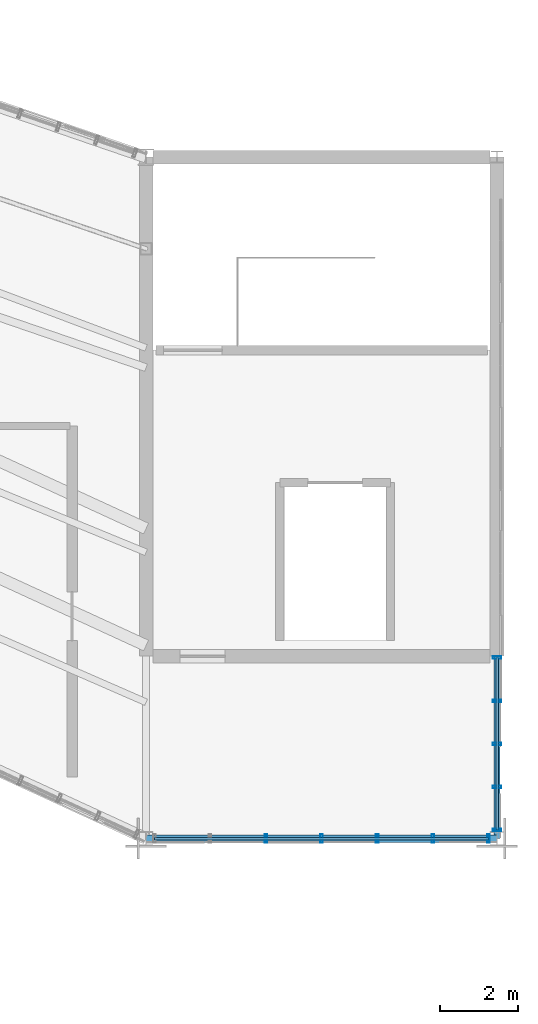
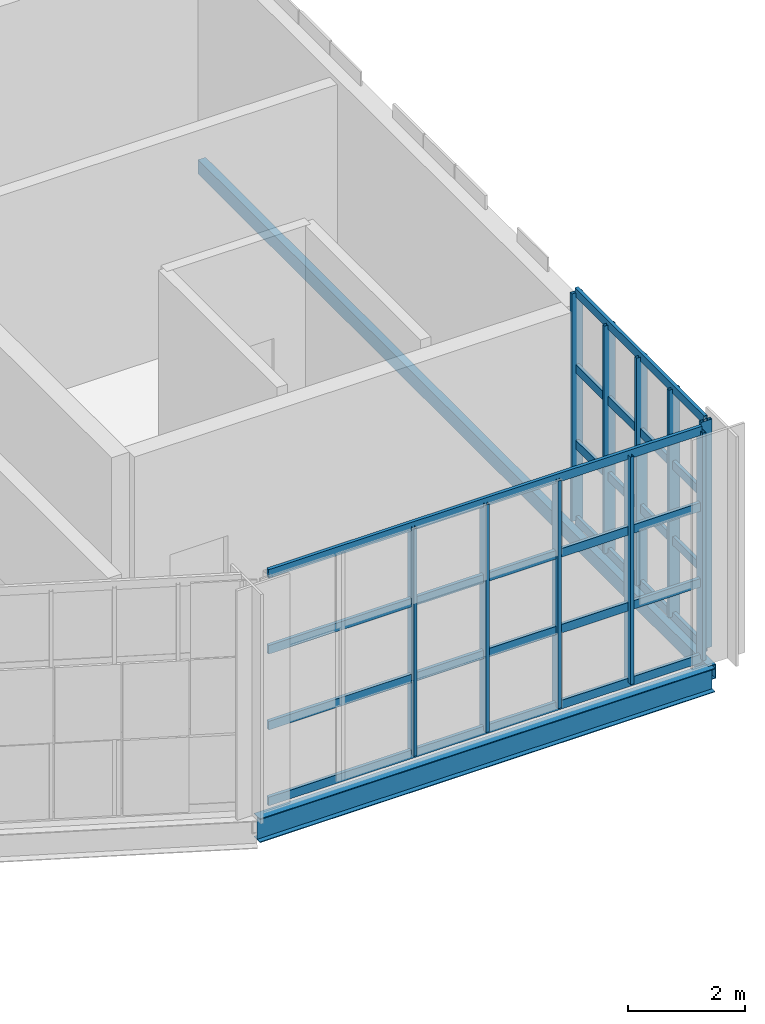
# One storey, part 19 of 35: 18 members, 2 beams, 2 elements without a shape of their own.
"""IFC4 building model written with IfcOpenShell, lengths in metres."""

from ifc_helpers import new_model, si_unit, direction, frame, origin, origin_2d, place, context, subcontext, project, spatial, hollow_rectangle, i_section, extrude, material, material_profile, profile_set, type_object, element, aggregate, save


model = new_model("IFC4")

# Units and contexts
model_context = context("Model", 3, precision=1e-05, world=origin(), true_north=direction((0.0, 1.0)))
body_context = subcontext(model_context, "Body", "Model", "MODEL_VIEW")
ifc_project = project(units=[si_unit("LENGTHUNIT", "METRE"), si_unit("AREAUNIT", "SQUARE_METRE"), si_unit("VOLUMEUNIT", "CUBIC_METRE"), si_unit("PLANEANGLEUNIT", "RADIAN"), si_unit("MASSUNIT", "GRAM", prefix="KILO")], contexts=[model_context])

# Site, building, storey
site_placement = place(None, origin())
site = spatial("IfcSite", under=ifc_project, at=site_placement, CompositionType="ELEMENT")
building_placement = place(site_placement, origin())
building = spatial("IfcBuilding", under=site, at=building_placement, Name="Solvikara Media Centre", CompositionType="ELEMENT")
storey_placement = place(building_placement, frame((0.0, 0.0, 29.39990234375)))
storey = spatial("IfcBuildingStorey", under=building, at=storey_placement, Name="L06", CompositionType="ELEMENT", Elevation=29.39990234375)

# Beams
ifc_material_1 = material(Name="Steel S355JR", Category="steel")
ifc_material_profile_1 = material_profile(ifc_material_1, i_section(OverallWidth=0.199951171875, OverallDepth=0.5, WebThickness=0.010009765625, FlangeThickness=0.01611328125, at=origin_2d()), Name="WF 500x200x10x16")
ifc_profile_set_1 = profile_set([ifc_material_profile_1], Name="Steel S355JR")
beam_type_1 = type_object("IfcBeamType", Name="BM-19", PredefinedType="BEAM", material=ifc_profile_set_1)
beam_1_placement = place(storey_placement, frame((127.5, 19.320068359375, -0.471923828125), z_axis=(1.0, 0.0, 0.0), x_axis=(0.0, 1.0, 0.0)))
element("IfcBeam", 1, at=beam_1_placement, inside=storey, type_object=beam_type_1, Name="B-L06-X1697", PredefinedType="BEAM", context=body_context, shape_type="SweptSolid", body=[
    extrude(i_section(OverallWidth=0.199951171875, OverallDepth=0.5, WebThickness=0.010009765625, FlangeThickness=0.01611328125, at=origin_2d()), origin(), (0.0, 0.0, 1.0), 9.0),
])
ifc_material_profile_2 = material_profile(ifc_material_1, hollow_rectangle(XDim=0.14990234375, YDim=0.300048828125, WallThickness=0.010009765625, at=origin_2d()), Name="RHS 300x150x10")
ifc_profile_set_2 = profile_set([ifc_material_profile_2], Name="Steel S355JR")
beam_type_2 = type_object("IfcBeamType", Name="BM-35", PredefinedType="BEAM", material=ifc_profile_set_2)
beam_2_placement = place(storey_placement, frame((136.5, 19.323974609375, -0.371826171875), z_axis=(0.0, 1.0, 0.0), x_axis=(-1.0, 0.0, 0.0)))
element("IfcBeam", 2, at=beam_2_placement, inside=storey, type_object=beam_type_2, Name="B-L06-Y1721", PredefinedType="BEAM", context=body_context, shape_type="SweptSolid", body=[
    extrude(hollow_rectangle(XDim=0.14990234375, YDim=0.300048828125, WallThickness=0.010009765625, at=origin_2d()), origin(), (0.0, 0.0, 1.0), 17.47607421875),
])

# Curtain wall, members
ifc_material_2 = material(Name="Anodised aluminium EN AW-6063", Category="aluminium")
curtain_wall_type = type_object("IfcCurtainWallType", Name="CW-13", PredefinedType="NOTDEFINED", material=ifc_material_2)
curtain_wall_1_placement = place(storey_placement, origin())
curtain_wall_1 = element("IfcCurtainWall", 3, at=curtain_wall_1_placement, inside=storey, type_object=curtain_wall_type, Name="CW-L06-BHES", PredefinedType="NOTDEFINED")
ifc_material_profile_3 = material_profile(ifc_material_2, hollow_rectangle(XDim=0.06494140625, YDim=0.219970703125, WallThickness=0.00390625, at=origin_2d()), Name="ALU-M 65x220x4")
ifc_profile_set_3 = profile_set([ifc_material_profile_3], Name="Anodised aluminium EN AW-6063")
member_type_1 = type_object("IfcMemberType", Name="MF-01", PredefinedType="MULLION", material=ifc_profile_set_3)
member_1_placement = place(storey_placement, frame((130.572021484375, 19.323974609375, 0.02001953125), z_axis=(0.0, 0.0, 1.0), x_axis=(1.0, 0.0, 0.0)))
member_1 = element("IfcMember", 4, at=member_1_placement, type_object=member_type_1, Name="CW-L06-BHES-M02", PredefinedType="MULLION", context=body_context, shape_type="SweptSolid", body=[
    extrude(hollow_rectangle(XDim=0.06494140625, YDim=0.219970703125, WallThickness=0.00390625, at=origin_2d()), origin(), (0.0, 0.0, 1.0), 4.760009765625),
])
member_2_placement = place(storey_placement, frame((132.0, 19.323974609375, 0.02001953125), z_axis=(0.0, 0.0, 1.0), x_axis=(1.0, 0.0, 0.0)))
member_2 = element("IfcMember", 5, at=member_2_placement, type_object=member_type_1, Name="CW-L06-BHES-M03", PredefinedType="MULLION", context=body_context, shape_type="SweptSolid", body=[
    extrude(hollow_rectangle(XDim=0.06494140625, YDim=0.219970703125, WallThickness=0.00390625, at=origin_2d()), origin(), (0.0, 0.0, 1.0), 4.760009765625),
])
member_3_placement = place(storey_placement, frame((133.427978515625, 19.323974609375, 0.02001953125), z_axis=(0.0, 0.0, 1.0), x_axis=(1.0, 0.0, 0.0)))
member_3 = element("IfcMember", 6, at=member_3_placement, type_object=member_type_1, Name="CW-L06-BHES-M04", PredefinedType="MULLION", context=body_context, shape_type="SweptSolid", body=[
    extrude(hollow_rectangle(XDim=0.06494140625, YDim=0.219970703125, WallThickness=0.00390625, at=origin_2d()), origin(), (0.0, 0.0, 1.0), 4.760009765625),
])
member_4_placement = place(storey_placement, frame((134.85693359375, 19.323974609375, 0.02001953125), z_axis=(0.0, 0.0, 1.0), x_axis=(1.0, 0.0, 0.0)))
member_4 = element("IfcMember", 7, at=member_4_placement, type_object=member_type_1, Name="CW-L06-BHES-M05", PredefinedType="MULLION", context=body_context, shape_type="SweptSolid", body=[
    extrude(hollow_rectangle(XDim=0.06494140625, YDim=0.219970703125, WallThickness=0.00390625, at=origin_2d()), origin(), (0.0, 0.0, 1.0), 4.760009765625),
])
member_5_placement = place(storey_placement, frame((136.284912109375, 19.323974609375, 0.02001953125), z_axis=(0.0, 0.0, 1.0), x_axis=(1.0, 0.0, 0.0)))
member_5 = element("IfcMember", 8, at=member_5_placement, type_object=member_type_1, Name="CW-L06-BHES-M06", PredefinedType="MULLION", context=body_context, shape_type="SweptSolid", body=[
    extrude(hollow_rectangle(XDim=0.06494140625, YDim=0.219970703125, WallThickness=0.00390625, at=origin_2d()), origin(), (0.0, 0.0, 1.0), 4.760009765625),
])

curtain_wall_2_placement = place(storey_placement, origin())
curtain_wall_2 = element("IfcCurtainWall", 9, at=curtain_wall_2_placement, inside=storey, type_object=curtain_wall_type, Name="CW-L06-BHEE", PredefinedType="NOTDEFINED")
member_6_placement = place(storey_placement, frame((136.5, 19.5390625, 0.02001953125), z_axis=(0.0, 0.0, 1.0), x_axis=(0.0, 1.0, 0.0)))
member_6 = element("IfcMember", 10, at=member_6_placement, type_object=member_type_1, Name="CW-L06-BHEE-M00", PredefinedType="MULLION", context=body_context, shape_type="SweptSolid", body=[
    extrude(hollow_rectangle(XDim=0.06494140625, YDim=0.219970703125, WallThickness=0.00390625, at=origin_2d()), origin(), (0.0, 0.0, 1.0), 4.760009765625),
])
member_7_placement = place(storey_placement, frame((136.5, 20.64501953125, 0.02001953125), z_axis=(0.0, 0.0, 1.0), x_axis=(0.0, 1.0, 0.0)))
member_7 = element("IfcMember", 11, at=member_7_placement, type_object=member_type_1, Name="CW-L06-BHEE-M01", PredefinedType="MULLION", context=body_context, shape_type="SweptSolid", body=[
    extrude(hollow_rectangle(XDim=0.06494140625, YDim=0.219970703125, WallThickness=0.00390625, at=origin_2d()), origin(), (0.0, 0.0, 1.0), 4.760009765625),
])
member_8_placement = place(storey_placement, frame((136.5, 21.751953125, 0.02001953125), z_axis=(0.0, 0.0, 1.0), x_axis=(0.0, 1.0, 0.0)))
member_8 = element("IfcMember", 12, at=member_8_placement, type_object=member_type_1, Name="CW-L06-BHEE-M02", PredefinedType="MULLION", context=body_context, shape_type="SweptSolid", body=[
    extrude(hollow_rectangle(XDim=0.06494140625, YDim=0.219970703125, WallThickness=0.00390625, at=origin_2d()), origin(), (0.0, 0.0, 1.0), 4.760009765625),
])
member_9_placement = place(storey_placement, frame((136.5, 22.85791015625, 0.02001953125), z_axis=(0.0, 0.0, 1.0), x_axis=(0.0, 1.0, 0.0)))
member_9 = element("IfcMember", 13, at=member_9_placement, type_object=member_type_1, Name="CW-L06-BHEE-M03", PredefinedType="MULLION", context=body_context, shape_type="SweptSolid", body=[
    extrude(hollow_rectangle(XDim=0.06494140625, YDim=0.219970703125, WallThickness=0.00390625, at=origin_2d()), origin(), (0.0, 0.0, 1.0), 4.760009765625),
])
member_10_placement = place(storey_placement, frame((136.5, 23.965087890625, 0.02001953125), z_axis=(0.0, 0.0, 1.0), x_axis=(0.0, 1.0, 0.0)))
member_10 = element("IfcMember", 14, at=member_10_placement, type_object=member_type_1, Name="CW-L06-BHEE-M04", PredefinedType="MULLION", context=body_context, shape_type="SweptSolid", body=[
    extrude(hollow_rectangle(XDim=0.06494140625, YDim=0.219970703125, WallThickness=0.00390625, at=origin_2d()), origin(), (0.0, 0.0, 1.0), 4.760009765625),
])

# Member
ifc_material_profile_4 = material_profile(ifc_material_2, hollow_rectangle(XDim=0.06494140625, YDim=0.179931640625, WallThickness=0.00341796875, at=origin_2d()), Name="ALU-T 65x180x3.5")
ifc_profile_set_4 = profile_set([ifc_material_profile_4], Name="Anodised aluminium EN AW-6063")
member_type_2 = type_object("IfcMemberType", Name="MF-07", PredefinedType="USERDEFINED", material=ifc_profile_set_4)
member_11_placement = place(storey_placement, frame((127.715087890625, 19.323974609375, 0.02001953125), z_axis=(1.0, 0.0, 0.0), x_axis=(0.0, 1.0, 0.0)))
member_11 = element("IfcMember", 15, at=member_11_placement, type_object=member_type_2, Name="CW-L06-BHES-T00", ObjectType="TRANSOM", PredefinedType="USERDEFINED", context=body_context, shape_type="SweptSolid", body=[
    extrude(hollow_rectangle(XDim=0.06494140625, YDim=0.179931640625, WallThickness=0.00341796875, at=origin_2d()), origin(), (0.0, 0.0, 1.0), 8.56982421875),
])

member_12_placement = place(storey_placement, frame((127.715087890625, 19.323974609375, 1.607177734375), z_axis=(1.0, 0.0, 0.0), x_axis=(0.0, 1.0, 0.0)))
member_12 = element("IfcMember", 16, at=member_12_placement, type_object=member_type_2, Name="CW-L06-BHES-T01", ObjectType="TRANSOM", PredefinedType="USERDEFINED", context=body_context, shape_type="SweptSolid", body=[
    extrude(hollow_rectangle(XDim=0.06494140625, YDim=0.179931640625, WallThickness=0.00341796875, at=origin_2d()), origin(), (0.0, 0.0, 1.0), 8.56982421875),
])

member_13_placement = place(storey_placement, frame((127.715087890625, 19.323974609375, 3.193115234375), z_axis=(1.0, 0.0, 0.0), x_axis=(0.0, 1.0, 0.0)))
member_13 = element("IfcMember", 17, at=member_13_placement, type_object=member_type_2, Name="CW-L06-BHES-T02", ObjectType="TRANSOM", PredefinedType="USERDEFINED", context=body_context, shape_type="SweptSolid", body=[
    extrude(hollow_rectangle(XDim=0.06494140625, YDim=0.179931640625, WallThickness=0.00341796875, at=origin_2d()), origin(), (0.0, 0.0, 1.0), 8.56982421875),
])

member_14_placement = place(storey_placement, frame((127.715087890625, 19.323974609375, 4.780029296875), z_axis=(1.0, 0.0, 0.0), x_axis=(0.0, 1.0, 0.0)))
member_14 = element("IfcMember", 18, at=member_14_placement, type_object=member_type_2, Name="CW-L06-BHES-T03", ObjectType="TRANSOM", PredefinedType="USERDEFINED", context=body_context, shape_type="SweptSolid", body=[
    extrude(hollow_rectangle(XDim=0.06494140625, YDim=0.179931640625, WallThickness=0.00341796875, at=origin_2d()), origin(), (0.0, 0.0, 1.0), 8.56982421875),
])

aggregate(curtain_wall_1, [member_1, member_2, member_3, member_4, member_5, member_11, member_12, member_13, member_14])

member_15_placement = place(storey_placement, frame((136.5, 19.5390625, 0.02001953125), z_axis=(0.0, 1.0, 0.0), x_axis=(-1.0, 0.0, 0.0)))
member_15 = element("IfcMember", 19, at=member_15_placement, type_object=member_type_2, Name="CW-L06-BHEE-T00", ObjectType="TRANSOM", PredefinedType="USERDEFINED", context=body_context, shape_type="SweptSolid", body=[
    extrude(hollow_rectangle(XDim=0.06494140625, YDim=0.179931640625, WallThickness=0.00341796875, at=origin_2d()), origin(), (0.0, 0.0, 1.0), 4.426025390625),
])

member_16_placement = place(storey_placement, frame((136.5, 19.5390625, 1.607177734375), z_axis=(0.0, 1.0, 0.0), x_axis=(-1.0, 0.0, 0.0)))
member_16 = element("IfcMember", 20, at=member_16_placement, type_object=member_type_2, Name="CW-L06-BHEE-T01", ObjectType="TRANSOM", PredefinedType="USERDEFINED", context=body_context, shape_type="SweptSolid", body=[
    extrude(hollow_rectangle(XDim=0.06494140625, YDim=0.179931640625, WallThickness=0.00341796875, at=origin_2d()), origin(), (0.0, 0.0, 1.0), 4.426025390625),
])

member_17_placement = place(storey_placement, frame((136.5, 19.5390625, 3.193115234375), z_axis=(0.0, 1.0, 0.0), x_axis=(-1.0, 0.0, 0.0)))
member_17 = element("IfcMember", 21, at=member_17_placement, type_object=member_type_2, Name="CW-L06-BHEE-T02", ObjectType="TRANSOM", PredefinedType="USERDEFINED", context=body_context, shape_type="SweptSolid", body=[
    extrude(hollow_rectangle(XDim=0.06494140625, YDim=0.179931640625, WallThickness=0.00341796875, at=origin_2d()), origin(), (0.0, 0.0, 1.0), 4.426025390625),
])

member_18_placement = place(storey_placement, frame((136.5, 19.5390625, 4.780029296875), z_axis=(0.0, 1.0, 0.0), x_axis=(-1.0, 0.0, 0.0)))
member_18 = element("IfcMember", 22, at=member_18_placement, type_object=member_type_2, Name="CW-L06-BHEE-T03", ObjectType="TRANSOM", PredefinedType="USERDEFINED", context=body_context, shape_type="SweptSolid", body=[
    extrude(hollow_rectangle(XDim=0.06494140625, YDim=0.179931640625, WallThickness=0.00341796875, at=origin_2d()), origin(), (0.0, 0.0, 1.0), 4.426025390625),
])

aggregate(curtain_wall_2, [member_6, member_7, member_8, member_9, member_10, member_15, member_16, member_17, member_18])

save(model, "model.ifc")
